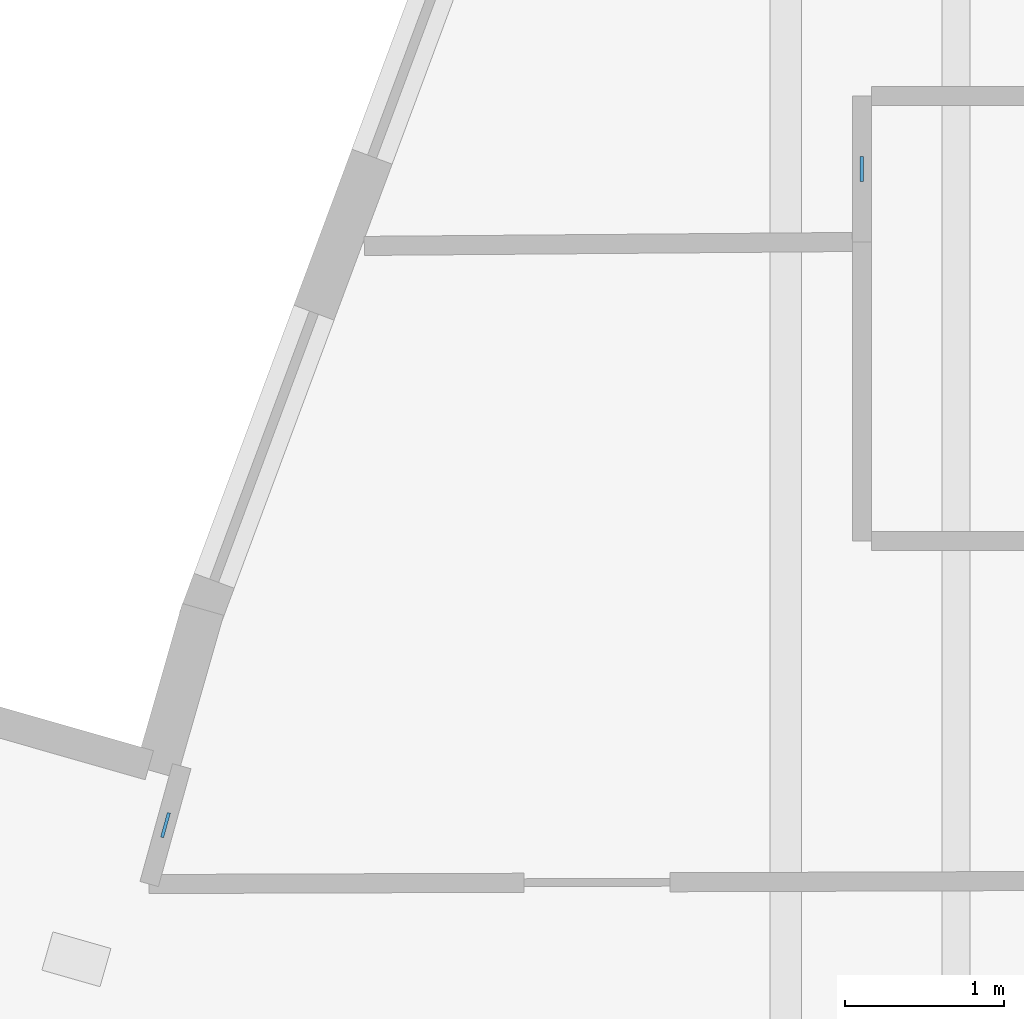
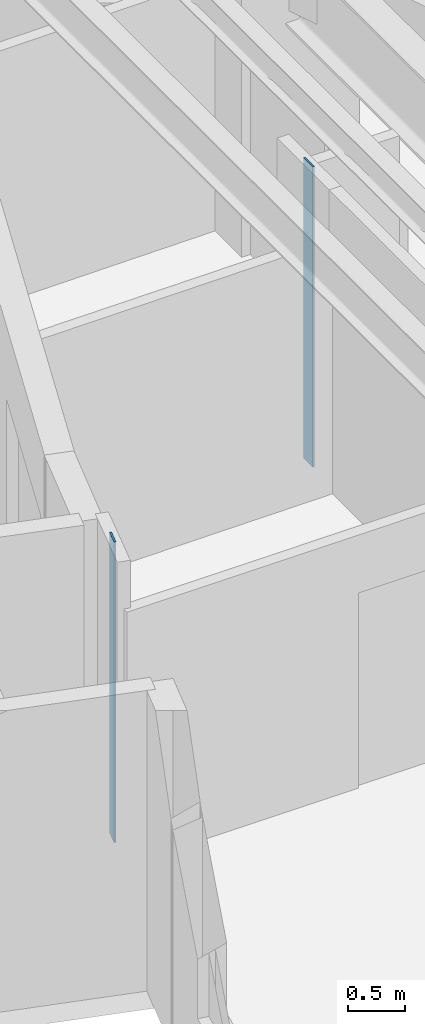
# One storey, part 4 of 14: 2 plates.
"""IFC4 building model written with IfcOpenShell, lengths in metres."""

import ifcopenshell
import ifcopenshell.guid

model = None  # the IFC model being written
_history = None  # IfcOwnerHistory: only IFC2X3 demands one
_inside = {}  # id of a spatial element -> (the spatial element, [elements in it])
_under = {}  # id of a project, library or spatial element -> (it, [spatial elements below it])
_declared = {}  # id of a project -> (the project, [libraries it declares])
_typed = {}  # id of a type object -> (the type object, [elements of that type])
_made_of = {}  # id of a material, layer set ... -> (it, [elements and type objects made of it])


def new_model(schema):
    """Start an empty IFC model of exactly this schema.

    Asked for "IFC4X3", IfcOpenShell would pick the latest addendum, in which some entities
    have other attributes; the version numbers below select the first issue.
    IFC2X3 requires an IfcOwnerHistory on every rooted entity: one is made here for all.
    """
    global model, _history
    if schema == "IFC4X3":
        model = ifcopenshell.file(schema_version=(4, 3, 0, 0))
    else:
        model = ifcopenshell.file(schema=schema)
    _inside.clear()
    _under.clear()
    _declared.clear()
    _typed.clear()
    _made_of.clear()
    _history = None
    if model.schema == "IFC2X3":
        org = make("IfcOrganization", Name="unknown")
        user = make(
            "IfcPersonAndOrganization",
            ThePerson=make("IfcPerson", FamilyName="unknown"),
            TheOrganization=org,
        )
        app = make(
            "IfcApplication",
            ApplicationDeveloper=org,
            Version="unknown",
            ApplicationFullName="unknown",
            ApplicationIdentifier="unknown",
        )
        _history = make(
            "IfcOwnerHistory",
            OwningUser=user,
            OwningApplication=app,
            ChangeAction="ADDED",
            CreationDate=0,
        )
    return model


def make(cls, **values):
    """One entity of the class cls with the attributes given. An attribute that is None is left unset."""
    return model.create_entity(
        cls, **{name: value for name, value in values.items() if value is not None}
    )


def rooted(cls, **values):
    """An entity with a GlobalId (a new one), such as an element, a storey or a relation."""
    return make(cls, GlobalId=ifcopenshell.guid.new(), OwnerHistory=_history, **values)


def si_unit(unit_type, name, prefix=None):
    """IfcSIUnit, for example si_unit("LENGTHUNIT", "METRE", prefix="MILLI")."""
    return make("IfcSIUnit", UnitType=unit_type, Prefix=prefix, Name=name)


def assignment(units):
    """IfcUnitAssignment: the units of a project."""
    return None if units is None else make("IfcUnitAssignment", Units=units)


def point(xyz):
    """IfcCartesianPoint."""
    return None if xyz is None else make("IfcCartesianPoint", Coordinates=xyz)


def direction(xyz):
    """IfcDirection."""
    return None if xyz is None else make("IfcDirection", DirectionRatios=xyz)


def frame(location, z_axis=None, x_axis=None):
    """IfcAxis2Placement3D, a coordinate frame: its origin and axes. An axis left out is left unset."""
    return make(
        "IfcAxis2Placement3D",
        Location=point(location),
        Axis=direction(z_axis),
        RefDirection=direction(x_axis),
    )


def frame_2d(location, x_axis=None):
    """IfcAxis2Placement2D, a coordinate frame in the plane: its origin and x axis."""
    return make(
        "IfcAxis2Placement2D", Location=point(location), RefDirection=direction(x_axis)
    )


def origin():
    """The frame at (0, 0, 0) with its axes left unset."""
    return frame((0.0, 0.0, 0.0))


def origin_2d():
    """The frame at (0, 0) in the plane with its x axis left unset."""
    return frame_2d((0.0, 0.0))


def place(relative_to, where):
    """IfcLocalPlacement: puts the frame where relative to a parent placement (None: the world)."""
    return make(
        "IfcLocalPlacement", PlacementRelTo=relative_to, RelativePlacement=where
    )


def context(
    kind, dimensions, precision=None, world=None, true_north=None, identifier=None
):
    """IfcGeometricRepresentationContext, for example the 3D "Model" context."""
    return make(
        "IfcGeometricRepresentationContext",
        ContextIdentifier=identifier,
        ContextType=kind,
        CoordinateSpaceDimension=dimensions,
        Precision=precision,
        WorldCoordinateSystem=world,
        TrueNorth=true_north,
    )


def subcontext(parent, identifier, kind, view, scale=None):
    """IfcGeometricRepresentationSubContext, for example "Body" below "Model"."""
    return make(
        "IfcGeometricRepresentationSubContext",
        ContextIdentifier=identifier,
        ContextType=kind,
        ParentContext=parent,
        TargetScale=scale,
        TargetView=view,
    )


def project(units=None, contexts=None):
    """IfcProject with its units and contexts."""
    return rooted(
        "IfcProject",
        Name="project",
        RepresentationContexts=contexts,
        UnitsInContext=assignment(units),
    )


def spatial(cls, under=None, at=None, **own):
    """A site, building, storey or space (cls), placed at a placement, below another one or the project."""
    s = rooted(cls, ObjectPlacement=at, **own)
    if under is not None:
        _under.setdefault(under.id(), (under, []))[1].append(s)
    return s


def profile(cls, at=None, kind="AREA", **sizes):
    """A parametric profile (cls). Its sizes go by their IFC names, for example OverallWidth=200.0."""
    return make(cls, ProfileType=kind, Position=at, **sizes)


def rectangle(**sizes):
    """IfcRectangleProfileDef."""
    return profile("IfcRectangleProfileDef", **sizes)


def extrude(swept, where, along, depth):
    """IfcExtrudedAreaSolid: the profile swept, set in the frame where, extruded along a direction by depth."""
    return make(
        "IfcExtrudedAreaSolid",
        SweptArea=swept,
        Position=where,
        ExtrudedDirection=direction(along),
        Depth=depth,
    )


def shape(context_of_items, identifier, shape_type, items):
    """IfcShapeRepresentation: the items that make up one representation, for example the "Body"."""
    return make(
        "IfcShapeRepresentation",
        ContextOfItems=context_of_items,
        RepresentationIdentifier=identifier,
        RepresentationType=shape_type,
        Items=items,
    )


def material(Name=None, Category=None):
    """IfcMaterial."""
    return make("IfcMaterial", Name=Name, Category=Category)


def layer(
    of_material, thickness, ventilated=None, Name=None, Category=None, Priority=None
):
    """IfcMaterialLayer: one layer of a wall or slab, of a material (None: an air gap)."""
    return make(
        "IfcMaterialLayer",
        Material=of_material,
        LayerThickness=thickness,
        IsVentilated=ventilated,
        Name=Name,
        Category=Category,
        Priority=Priority,
    )


def layer_set(layers, Name=None):
    """IfcMaterialLayerSet."""
    return make("IfcMaterialLayerSet", MaterialLayers=layers, LayerSetName=Name)


def made_of(thing, what):
    """Note that an element or type object is made of a material, layer set ...; save() writes the relation."""
    if what is not None:
        _made_of.setdefault(what.id(), (what, []))[1].append(thing)
    return thing


def type_object(cls, material=None, **own):
    """A type object (cls), such as IfcWallType, which elements share."""
    return made_of(rooted(cls, **own), material)


def element(
    cls,
    number,
    at=None,
    inside=None,
    cuts=None,
    type_object=None,
    material=None,
    context=None,
    identifier="Body",
    shape_type=None,
    held_by="IfcProductDefinitionShape",
    body=None,
    shapes=None,
    **own,
):
    """One element of the class cls, such as IfcWall. Its Tag is "e" and its number.

    at: its placement. inside: the storey or other place that contains it. cuts: it is an
    opening in that element (IfcRelVoidsElement). A single representation is given by context,
    identifier, shape_type and body (its items); several are given by shapes. held_by: the class
    of the entity that holds the representations. save() writes the other relations.
    """
    e = rooted(cls, Tag="e%d" % number, ObjectPlacement=at, **own)
    if body is not None:
        shapes = [shape(context, identifier, shape_type, body)]
    if shapes is not None:
        e.Representation = make(held_by, Representations=shapes)
    if inside is not None:
        _inside.setdefault(inside.id(), (inside, []))[1].append(e)
    if cuts is not None:
        rooted(
            "IfcRelVoidsElement", RelatingBuildingElement=cuts, RelatedOpeningElement=e
        )
    if type_object is not None:
        _typed.setdefault(type_object.id(), (type_object, []))[1].append(e)
    return made_of(e, material)


def aggregate(whole, parts):
    """IfcRelAggregates: a whole, such as a stair, and the parts it consists of."""
    return rooted("IfcRelAggregates", RelatingObject=whole, RelatedObjects=parts)


def save(model, path):
    """Write the relations noted so far, then the file.

    IfcRelAggregates (storeys below a building ...), IfcRelContainedInSpatialStructure (elements
    in a storey), IfcRelDefinesByType, IfcRelAssociatesMaterial and IfcRelDeclares: one each for
    every whole, place, type object, material and project.
    """
    for whole, parts in _under.values():
        aggregate(whole, parts)
    for where, things in _inside.values():
        rooted(
            "IfcRelContainedInSpatialStructure",
            RelatedElements=things,
            RelatingStructure=where,
        )
    for kind, things in _typed.values():
        rooted("IfcRelDefinesByType", RelatedObjects=things, RelatingType=kind)
    for what, things in _made_of.values():
        rooted("IfcRelAssociatesMaterial", RelatedObjects=things, RelatingMaterial=what)
    for by, libraries in _declared.values():
        rooted("IfcRelDeclares", RelatingContext=by, RelatedDefinitions=libraries)
    model.write(path)


model = new_model("IFC4")

# Units and contexts
model_context = context("Model", 3, precision=1e-05, world=origin(), true_north=direction((0.0, 1.0)))
body_context = subcontext(model_context, "Body", "Model", "MODEL_VIEW")
ifc_project = project(units=[si_unit("LENGTHUNIT", "METRE"), si_unit("AREAUNIT", "SQUARE_METRE"), si_unit("VOLUMEUNIT", "CUBIC_METRE"), si_unit("PLANEANGLEUNIT", "RADIAN"), si_unit("MASSUNIT", "GRAM", prefix="KILO")], contexts=[model_context])

# Site, building, storey
site_placement = place(None, origin())
site = spatial("IfcSite", under=ifc_project, at=site_placement, CompositionType="ELEMENT")
building_placement = place(site_placement, origin())
building = spatial("IfcBuilding", under=site, at=building_placement, Name="Miruveldt Soraemaru", CompositionType="ELEMENT")
storey_placement = place(building_placement, frame((0.0, 0.0, 114.39990234375)))
storey = spatial("IfcBuildingStorey", under=building, at=storey_placement, Name="L31", CompositionType="ELEMENT", Elevation=114.39990234375)

# Plates
ifc_material = material(Name="Anodised aluminium EN AW-6063 T6", Category="aluminium")
ifc_layer = layer(ifc_material, 0.02001953125, Name="Anodised aluminium EN AW-6063 T6", Category="aluminium")
ifc_layer_set = layer_set([ifc_layer], Name="Anodised aluminium EN AW-6063 T6")
plate_type = type_object("IfcPlateType", Name="PLT-PART-TRIM", PredefinedType="SHEET", material=ifc_layer_set)
for number, where, z_axis, x_axis, name in (
    (1, (29.738037109375, 46.970947265625, 0.0), (0.0, 0.0, 1.0), (0.0, -1.0, 0.0), "L31 Partition Step Corner Trim Plate 047"),
    (2, (25.357421875, 42.843505859375, 0.0), (0.0, 0.0, 1.0), (0.266229118282, 0.963909776161, 0.0), "L31 Partition Step Corner Trim Plate 001"),
):
    element("IfcPlate", number, at=place(storey_placement, frame(where, z_axis=z_axis, x_axis=x_axis)), inside=storey, type_object=plate_type, Name=name, PredefinedType="SHEET", context=body_context, shape_type="SweptSolid", body=[
        extrude(rectangle(XDim=0.159912109375, YDim=0.02001953125, at=origin_2d()), origin(), (0.0, 0.0, 1.0), 3.235107421875),
    ])

save(model, "model.ifc")
